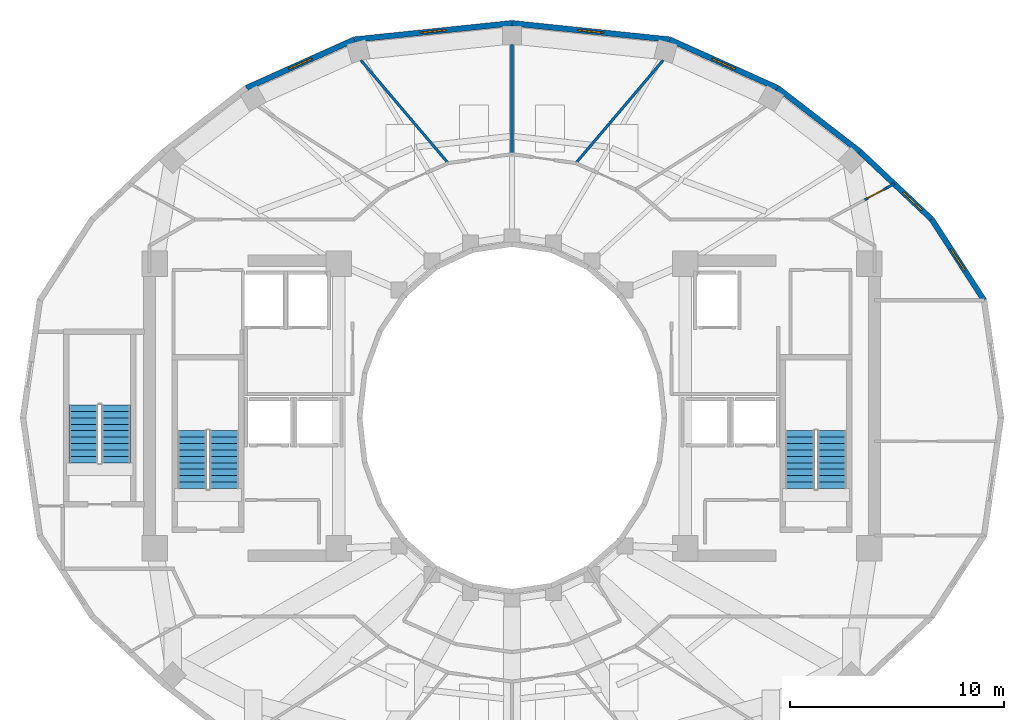
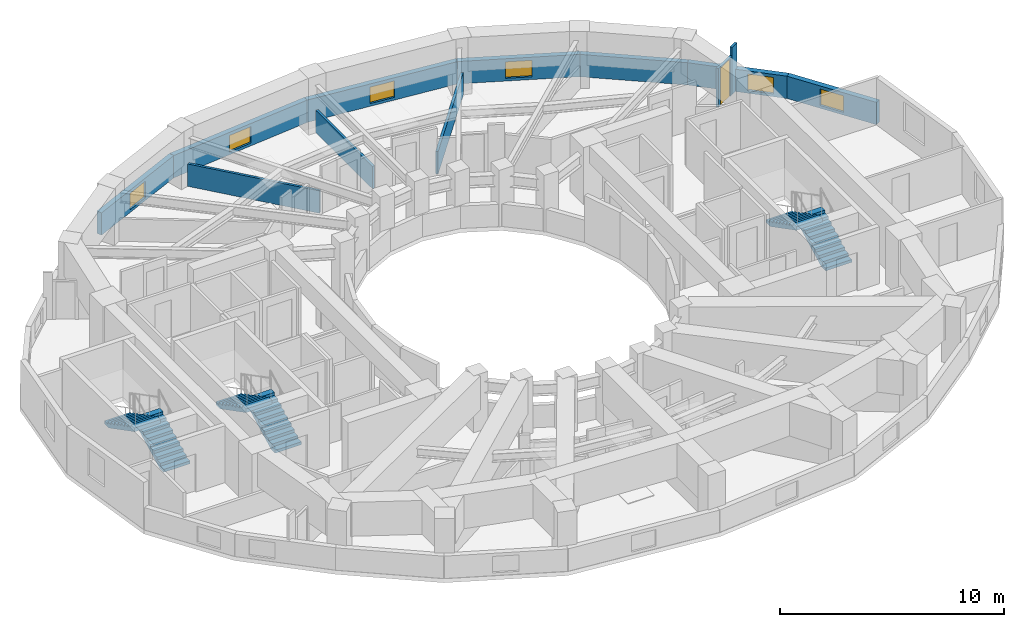
# One storey, part 7 of 9: 12 walls, 6 stair flights, 6 windows, 1 door, 7 openings, 3 elements without a shape of their own.
"""IFC4 building model written with IfcOpenShell, lengths in metres."""

from ifc_helpers import new_model, si_unit, direction, frame, frame_2d, origin, place, context, subcontext, project, spatial, polyline, rectangle, outline, extrude, material, layer, layer_set, type_object, element, fill, aggregate, save


model = new_model("IFC4")

# Units and contexts
model_context = context("Model", 3, precision=1e-05, world=origin(), true_north=direction((0.0, 1.0)))
body_context = subcontext(model_context, "Body", "Model", "MODEL_VIEW")
ifc_project = project(units=[si_unit("LENGTHUNIT", "METRE"), si_unit("AREAUNIT", "SQUARE_METRE"), si_unit("VOLUMEUNIT", "CUBIC_METRE"), si_unit("PLANEANGLEUNIT", "RADIAN"), si_unit("MASSUNIT", "GRAM", prefix="KILO")], contexts=[model_context])

# Site, building, storey
site_placement = place(None, origin())
site = spatial("IfcSite", under=ifc_project, at=site_placement, CompositionType="ELEMENT")
building_placement = place(site_placement, origin())
building = spatial("IfcBuilding", under=site, at=building_placement, Name="Solvane Sanctuary Tower", CompositionType="ELEMENT")
storey_placement = place(building_placement, frame((0.0, 0.0, 187.0)))
storey = spatial("IfcBuildingStorey", under=building, at=storey_placement, Name="L57", CompositionType="ELEMENT", Elevation=187.0)

# Wall, opening, window
ifc_material_1 = material(Name="Precast concrete C40/50", Category="concrete")
ifc_layer_1 = layer(ifc_material_1, 0.260009765625, Name="Precast concrete C40/50")
ifc_layer_set_1 = layer_set([ifc_layer_1], Name="Precast concrete C40/50")
wall_type_1 = type_object("IfcWallType", Name="Wall W-EXT-250", PredefinedType="STANDARD", material=ifc_layer_set_1)
wall_1_placement = place(storey_placement, frame((54.0703125, 28.49658203125, 0.0), z_axis=(0.0, 0.0, 1.0), x_axis=(-0.543358984534, 0.839500454989, 0.0)))
wall_1 = element("IfcWall", 1, at=wall_1_placement, inside=storey, type_object=wall_type_1, Name="L57 Ceramic-Printed Facade Wall 01", PredefinedType="STANDARD", context=body_context, shape_type="SweptSolid", body=[
    extrude(rectangle(XDim=4.51123046875, YDim=0.260009765625, at=frame_2d((2.255615234375, 0.0))), origin(), (0.0, 0.0, 1.0), 1.219970703125),
])
opening_1_placement = place(wall_1_placement, frame((1.655517578125, 0.0, 0.14990234375)))
opening_1 = element("IfcOpeningElement", 2, at=opening_1_placement, cuts=wall_1, Name="Opening WN-OPER-1200", PredefinedType="OPENING", context=body_context, shape_type="SweptSolid", body=[
    extrude(rectangle(XDim=1.199951171875, YDim=0.89990234375, at=frame_2d((0.60009765625, 0.449951171875))), frame((0.0, 0.139892578125, 0.0), z_axis=(0.0, -1.0, 0.0), x_axis=(1.0, 0.0, 0.0)), (0.0, 0.0, 1.0), 0.280029296875),
])
ifc_material_2 = material(Name="Dark Ceramic-Fritted Low-E Glass", Category="glass")
window_type = type_object("IfcWindowType", Name="Window WN-OPER-1200", PartitioningType="SINGLE_PANEL", PredefinedType="WINDOW", material=ifc_material_2)
window_1_placement = place(opening_1_placement, origin())
window_1 = element("IfcWindow", 3, at=window_1_placement, inside=storey, type_object=window_type, Name="L57 Operable Facade Window 01", OverallHeight=0.89990234375, OverallWidth=1.199951171875, PartitioningType="SINGLE_PANEL", PredefinedType="WINDOW", context=body_context, shape_type="SweptSolid", body=[
    extrude(rectangle(XDim=1.199951171875, YDim=0.89990234375, at=frame_2d((0.60009765625, 0.449951171875))), frame((0.0, 0.030029296875, 0.0), z_axis=(0.0, -1.0, 0.0), x_axis=(1.0, 0.0, 0.0)), (0.0, 0.0, 1.0), 0.06005859375),
])
fill(opening_1, window_1)

wall_2_placement = place(storey_placement, frame((51.619140625, 32.28369140625, 0.0), z_axis=(0.0, 0.0, 1.0), x_axis=(-0.727667301037, 0.68593024354, 0.0)))
wall_2 = element("IfcWall", 4, at=wall_2_placement, inside=storey, type_object=wall_type_1, Name="L57 Ceramic-Printed Facade Wall 02", PredefinedType="STANDARD", context=body_context, shape_type="SweptSolid", body=[
    extrude(rectangle(XDim=4.603515625, YDim=0.260009765625, at=frame_2d((2.3017578125, 0.0))), origin(), (0.0, 0.0, 1.0), 1.219970703125),
])
opening_2_placement = place(wall_2_placement, frame((0.631103515625, 0.0, 0.14990234375)))
opening_2 = element("IfcOpeningElement", 5, at=opening_2_placement, cuts=wall_2, Name="Opening WN-OPER-1200", PredefinedType="OPENING", context=body_context, shape_type="SweptSolid", body=[
    extrude(rectangle(XDim=1.199951171875, YDim=0.89990234375, at=frame_2d((0.60009765625, 0.449951171875))), frame((0.0, 0.139892578125, 0.0), z_axis=(0.0, -1.0, 0.0), x_axis=(1.0, 0.0, 0.0)), (0.0, 0.0, 1.0), 0.280029296875),
])
window_2_placement = place(opening_2_placement, origin())
window_2 = element("IfcWindow", 6, at=window_2_placement, inside=storey, type_object=window_type, Name="L57 Operable Facade Window 02", OverallHeight=0.89990234375, OverallWidth=1.199951171875, PartitioningType="SINGLE_PANEL", PredefinedType="WINDOW", context=body_context, shape_type="SweptSolid", body=[
    extrude(rectangle(XDim=1.199951171875, YDim=0.89990234375, at=frame_2d((0.60009765625, 0.449951171875))), frame((0.0, 0.030029296875, 0.0), z_axis=(0.0, -1.0, 0.0), x_axis=(1.0, 0.0, 0.0)), (0.0, 0.0, 1.0), 0.06005859375),
])
fill(opening_2, window_2)

# Wall
wall_3_placement = place(storey_placement, frame((48.269287109375, 35.44140625, 0.0), z_axis=(0.0, 0.0, 1.0), x_axis=(-0.791460185804, 0.611220724687, 0.0)))
element("IfcWall", 7, at=wall_3_placement, inside=storey, type_object=wall_type_1, Name="L57 Ceramic-Printed Facade Wall 03", PredefinedType="STANDARD", context=body_context, shape_type="SweptSolid", body=[
    extrude(rectangle(XDim=4.872314453125, YDim=0.260009765625, at=frame_2d((2.43603515625, 0.0))), origin(), (0.0, 0.0, 1.0), 1.219970703125),
])

# Wall, opening, window
wall_4_placement = place(storey_placement, frame((44.4130859375, 38.41943359375, 0.0), z_axis=(0.0, 0.0, 1.0), x_axis=(-0.912353637112, 0.409403029847, 0.0)))
wall_4 = element("IfcWall", 8, at=wall_4_placement, inside=storey, type_object=wall_type_1, Name="L57 Ceramic-Printed Facade Wall 04", PredefinedType="STANDARD", context=body_context, shape_type="SweptSolid", body=[
    extrude(rectangle(XDim=5.53271484375, YDim=0.260009765625, at=frame_2d((2.766357421875, 0.0))), origin(), (0.0, 0.0, 1.0), 1.219970703125),
])
opening_3_placement = place(wall_4_placement, frame((2.16650390625, 0.0, 0.14990234375)))
opening_3 = element("IfcOpeningElement", 9, at=opening_3_placement, cuts=wall_4, Name="Opening WN-OPER-1200", PredefinedType="OPENING", context=body_context, shape_type="SweptSolid", body=[
    extrude(rectangle(XDim=1.199951171875, YDim=0.89990234375, at=frame_2d((0.60009765625, 0.449951171875))), frame((0.0, 0.139892578125, 0.0), z_axis=(0.0, -1.0, 0.0), x_axis=(1.0, 0.0, 0.0)), (0.0, 0.0, 1.0), 0.280029296875),
])
window_3_placement = place(opening_3_placement, origin())
window_3 = element("IfcWindow", 10, at=window_3_placement, inside=storey, type_object=window_type, Name="L57 Operable Facade Window 04", OverallHeight=0.89990234375, OverallWidth=1.199951171875, PartitioningType="SINGLE_PANEL", PredefinedType="WINDOW", context=body_context, shape_type="SweptSolid", body=[
    extrude(rectangle(XDim=1.199951171875, YDim=0.89990234375, at=frame_2d((0.60009765625, 0.449951171875))), frame((0.0, 0.030029296875, 0.0), z_axis=(0.0, -1.0, 0.0), x_axis=(1.0, 0.0, 0.0)), (0.0, 0.0, 1.0), 0.06005859375),
])
fill(opening_3, window_3)

wall_5_placement = place(storey_placement, frame((39.365234375, 40.6845703125, 0.0), z_axis=(0.0, 0.0, 1.0), x_axis=(-0.994664178965, 0.10316574569, 0.0)))
wall_5 = element("IfcWall", 11, at=wall_5_placement, inside=storey, type_object=wall_type_1, Name="L57 Ceramic-Printed Facade Wall 05", PredefinedType="STANDARD", context=body_context, shape_type="SweptSolid", body=[
    extrude(rectangle(XDim=7.40478515625, YDim=0.260009765625, at=frame_2d((3.702392578125, 0.0))), origin(), (0.0, 0.0, 1.0), 1.219970703125),
])
opening_4_placement = place(wall_5_placement, frame((3.102294921875, 0.0, 0.14990234375)))
opening_4 = element("IfcOpeningElement", 12, at=opening_4_placement, cuts=wall_5, Name="Opening WN-OPER-1200", PredefinedType="OPENING", context=body_context, shape_type="SweptSolid", body=[
    extrude(rectangle(XDim=1.199951171875, YDim=0.89990234375, at=frame_2d((0.60009765625, 0.449951171875))), frame((0.0, 0.139892578125, 0.0), z_axis=(0.0, -1.0, 0.0), x_axis=(1.0, 0.0, 0.0)), (0.0, 0.0, 1.0), 0.280029296875),
])
window_4_placement = place(opening_4_placement, origin())
window_4 = element("IfcWindow", 13, at=window_4_placement, inside=storey, type_object=window_type, Name="L57 Operable Facade Window 05", OverallHeight=0.89990234375, OverallWidth=1.199951171875, PartitioningType="SINGLE_PANEL", PredefinedType="WINDOW", context=body_context, shape_type="SweptSolid", body=[
    extrude(rectangle(XDim=1.199951171875, YDim=0.89990234375, at=frame_2d((0.60009765625, 0.449951171875))), frame((0.0, 0.030029296875, 0.0), z_axis=(0.0, -1.0, 0.0), x_axis=(1.0, 0.0, 0.0)), (0.0, 0.0, 1.0), 0.06005859375),
])
fill(opening_4, window_4)

wall_6_placement = place(storey_placement, frame((32.0, 41.448486328125, 0.0), z_axis=(0.0, 0.0, 1.0), x_axis=(-0.994664178965, -0.10316574569, 0.0)))
wall_6 = element("IfcWall", 14, at=wall_6_placement, inside=storey, type_object=wall_type_1, Name="L57 Ceramic-Printed Facade Wall 06", PredefinedType="STANDARD", context=body_context, shape_type="SweptSolid", body=[
    extrude(rectangle(XDim=7.40478515625, YDim=0.260009765625, at=frame_2d((3.702392578125, 0.0))), origin(), (0.0, 0.0, 1.0), 1.219970703125),
])
opening_5_placement = place(wall_6_placement, frame((3.102294921875, 0.0, 0.14990234375)))
opening_5 = element("IfcOpeningElement", 15, at=opening_5_placement, cuts=wall_6, Name="Opening WN-OPER-1200", PredefinedType="OPENING", context=body_context, shape_type="SweptSolid", body=[
    extrude(rectangle(XDim=1.199951171875, YDim=0.89990234375, at=frame_2d((0.60009765625, 0.449951171875))), frame((0.0, 0.139892578125, 0.0), z_axis=(0.0, -1.0, 0.0), x_axis=(1.0, 0.0, 0.0)), (0.0, 0.0, 1.0), 0.280029296875),
])
window_5_placement = place(opening_5_placement, origin())
window_5 = element("IfcWindow", 16, at=window_5_placement, inside=storey, type_object=window_type, Name="L57 Operable Facade Window 06", OverallHeight=0.89990234375, OverallWidth=1.199951171875, PartitioningType="SINGLE_PANEL", PredefinedType="WINDOW", context=body_context, shape_type="SweptSolid", body=[
    extrude(rectangle(XDim=1.199951171875, YDim=0.89990234375, at=frame_2d((0.60009765625, 0.449951171875))), frame((0.0, 0.030029296875, 0.0), z_axis=(0.0, -1.0, 0.0), x_axis=(1.0, 0.0, 0.0)), (0.0, 0.0, 1.0), 0.06005859375),
])
fill(opening_5, window_5)

wall_7_placement = place(storey_placement, frame((24.634765625, 40.6845703125, 0.0), z_axis=(0.0, 0.0, 1.0), x_axis=(-0.912353637112, -0.409403029847, 0.0)))
wall_7 = element("IfcWall", 17, at=wall_7_placement, inside=storey, type_object=wall_type_1, Name="L57 Ceramic-Printed Facade Wall 07", PredefinedType="STANDARD", context=body_context, shape_type="SweptSolid", body=[
    extrude(rectangle(XDim=5.53271484375, YDim=0.260009765625, at=frame_2d((2.766357421875, 0.0))), origin(), (0.0, 0.0, 1.0), 1.219970703125),
])
opening_6_placement = place(wall_7_placement, frame((2.16650390625, 0.0, 0.14990234375)))
opening_6 = element("IfcOpeningElement", 18, at=opening_6_placement, cuts=wall_7, Name="Opening WN-OPER-1200", PredefinedType="OPENING", context=body_context, shape_type="SweptSolid", body=[
    extrude(rectangle(XDim=1.199951171875, YDim=0.89990234375, at=frame_2d((0.60009765625, 0.449951171875))), frame((0.0, 0.139892578125, 0.0), z_axis=(0.0, -1.0, 0.0), x_axis=(1.0, 0.0, 0.0)), (0.0, 0.0, 1.0), 0.280029296875),
])
window_6_placement = place(opening_6_placement, origin())
window_6 = element("IfcWindow", 19, at=window_6_placement, inside=storey, type_object=window_type, Name="L57 Operable Facade Window 07", OverallHeight=0.89990234375, OverallWidth=1.199951171875, PartitioningType="SINGLE_PANEL", PredefinedType="WINDOW", context=body_context, shape_type="SweptSolid", body=[
    extrude(rectangle(XDim=1.199951171875, YDim=0.89990234375, at=frame_2d((0.60009765625, 0.449951171875))), frame((0.0, 0.030029296875, 0.0), z_axis=(0.0, -1.0, 0.0), x_axis=(1.0, 0.0, 0.0)), (0.0, 0.0, 1.0), 0.06005859375),
])
fill(opening_6, window_6)

# Wall, opening, door
ifc_material_3 = material(Name="Acoustic Gypsum Partition Board")
ifc_layer_2 = layer(ifc_material_3, 0.1201171875, Name="Acoustic Gypsum Partition Board")
ifc_layer_set_2 = layer_set([ifc_layer_2], Name="Acoustic Gypsum Partition Board")
wall_type_2 = type_object("IfcWallType", Name="Wall W-MOV-100", PredefinedType="MOVABLE", material=ifc_layer_set_2)
wall_8_placement = place(storey_placement, frame((48.48876953125, 33.194091796875, 0.0), z_axis=(0.0, 0.0, 1.0), x_axis=(0.879342939039, 0.476189033433, 0.0)))
wall_8 = element("IfcWall", 20, at=wall_8_placement, inside=storey, type_object=wall_type_2, Name="L57 NE Corner Suite Partition", PredefinedType="MOVABLE", context=body_context, shape_type="SweptSolid", body=[
    extrude(rectangle(XDim=1.169921875, YDim=0.1201171875, at=frame_2d((0.5849609375, 0.0))), origin(), (0.0, 0.0, 1.0), 2.110107421875),
])
opening_7_placement = place(wall_8_placement, frame((0.159912109375, 0.0, 0.0)))
opening_7 = element("IfcOpeningElement", 21, at=opening_7_placement, cuts=wall_8, Name="Opening D-L57-12", PredefinedType="OPENING", context=body_context, shape_type="SweptSolid", body=[
    extrude(rectangle(XDim=0.85009765625, YDim=2.050048828125, at=frame_2d((0.425048828125, 1.02490234375))), frame((0.0, 0.070068359375, 0.0), z_axis=(0.0, -1.0, 0.0), x_axis=(1.0, 0.0, 0.0)), (0.0, 0.0, 1.0), 0.14013671875),
])
ifc_material_4 = material(Name="Architectural Stainless Steel 316", Category="steel")
door_type = type_object("IfcDoorType", Name="Door D-RISER", OperationType="NOTDEFINED", PredefinedType="DOOR", material=ifc_material_4)
door_placement = place(opening_7_placement, origin())
door = element("IfcDoor", 22, at=door_placement, inside=storey, type_object=door_type, Name="L57 NE Corner Suite Door", OperationType="SINGLE_SWING_RIGHT", OverallHeight=2.050048828125, OverallWidth=0.85009765625, PredefinedType="DOOR", context=body_context, shape_type="SweptSolid", body=[
    extrude(rectangle(XDim=0.85009765625, YDim=2.050048828125, at=frame_2d((0.425048828125, 1.02490234375))), frame((0.0, 0.02490234375, 0.0), z_axis=(0.0, -1.0, 0.0), x_axis=(1.0, 0.0, 0.0)), (0.0, 0.0, 1.0), 0.050048828125),
])
fill(opening_7, door)

# Walls
wall_9_placement = place(storey_placement, frame((49.517578125, 33.751220703125, 0.0), z_axis=(0.0, 0.0, 1.0), x_axis=(0.879403655312, 0.476076896125, 0.0)))
element("IfcWall", 23, at=wall_9_placement, inside=storey, type_object=wall_type_2, Name="L57 NE Corner Suite Partition", PredefinedType="MOVABLE", context=body_context, shape_type="SweptSolid", body=[
    extrude(rectangle(XDim=0.41943359375, YDim=0.1201171875, at=frame_2d((0.209716796875, 0.0))), origin(), (0.0, 0.0, 1.0), 2.574951171875),
])
ifc_layer_3 = layer(ifc_material_3, 0.125, Name="Acoustic Gypsum Partition Board")
ifc_layer_set_3 = layer_set([ifc_layer_3], Name="Acoustic Gypsum Partition Board")
wall_type_3 = type_object("IfcWallType", Name="Wall W-PART-125", PredefinedType="PARTITIONING", material=ifc_layer_set_3)
wall_10_placement = place(storey_placement, frame((35.019775390625, 34.951904296875, 0.0), z_axis=(0.0, 0.0, 1.0), x_axis=(0.647173462792, 0.762342776615, 0.0)))
element("IfcWall", 24, at=wall_10_placement, inside=storey, type_object=wall_type_3, Name="L57 Radial Compartment Wall 075", PredefinedType="PARTITIONING", context=body_context, shape_type="SweptSolid", body=[
    extrude(rectangle(XDim=6.25341796875, YDim=0.125, at=frame_2d((3.126708984375, 0.0))), origin(), (0.0, 0.0, 1.0), 1.219970703125),
])
wall_11_placement = place(storey_placement, frame((32.0, 35.385009765625, 0.0), z_axis=(0.0, 0.0, 1.0), x_axis=(0.0, 1.0, 0.0)))
element("IfcWall", 25, at=wall_11_placement, inside=storey, type_object=wall_type_3, Name="L57 Radial Compartment Wall 090", PredefinedType="PARTITIONING", context=body_context, shape_type="SweptSolid", body=[
    extrude(rectangle(XDim=5.06494140625, YDim=0.125, at=frame_2d((2.532470703125, 0.0))), origin(), (0.0, 0.0, 1.0), 1.219970703125),
])
wall_12_placement = place(storey_placement, frame((28.980224609375, 34.951904296875, 0.0), z_axis=(0.0, 0.0, 1.0), x_axis=(-0.647173462792, 0.762342776615, 0.0)))
element("IfcWall", 26, at=wall_12_placement, inside=storey, type_object=wall_type_3, Name="L57 Radial Compartment Wall 105", PredefinedType="PARTITIONING", context=body_context, shape_type="SweptSolid", body=[
    extrude(rectangle(XDim=6.25341796875, YDim=0.125, at=frame_2d((3.126708984375, 0.0))), origin(), (0.0, 0.0, 1.0), 1.219970703125),
])

# Stair, stair flights
ifc_material_5 = material(Name="Concrete C45/55", Category="concrete")
stair_type = type_object("IfcStairType", Name="Stair ST-TOW", PredefinedType="HALF_TURN_STAIR", material=ifc_material_5)
stair_1_placement = place(storey_placement, origin())
stair_1 = element("IfcStair", 27, at=stair_1_placement, inside=storey, type_object=stair_type, Name="L57 Exit Stair ST-1 West Core", PredefinedType="HALF_TURN_STAIR")
stair_flight_type = type_object("IfcStairFlightType", Name="StairFlight SF-TOW", PredefinedType="STRAIGHT", material=ifc_material_5)
stair_flight_1_placement = place(storey_placement, frame((18.544921875, 19.699951171875, 0.0), z_axis=(0.0, 0.0, 1.0), x_axis=(0.0, 1.0, 0.0)))
stair_flight_1 = element("IfcStairFlight", 28, at=stair_flight_1_placement, type_object=stair_flight_type, Name="ST-1 flight 1", NumberOfRisers=10, NumberOfTreads=9, PredefinedType="STRAIGHT", RiserHeight=0.155, TreadLength=0.3, context=body_context, shape_type="SweptSolid", body=[
    extrude(outline(polyline([(0.0, 0.0), (0.0, 0.155029296875), (0.300048828125, 0.155029296875), (0.300048828125, 0.31005859375), (0.60009765625, 0.31005859375), (0.60009765625, 0.465087890625), (0.89990234375, 0.465087890625), (0.89990234375, 0.6201171875), (1.199951171875, 0.6201171875), (1.199951171875, 0.77490234375), (1.5, 0.77490234375), (1.5, 0.929931640625), (1.800048828125, 0.929931640625), (1.800048828125, 1.0849609375), (2.10009765625, 1.0849609375), (2.10009765625, 1.239990234375), (2.39990234375, 1.239990234375), (2.39990234375, 1.39501953125), (2.699951171875, 1.39501953125), (2.699951171875, 1.550048828125), (2.699951171875, 1.1923828125), (0.39208984375, 0.0), (0.0, 0.0)])), frame((0.0, 0.675048828125, 0.0), z_axis=(0.0, -1.0, 0.0), x_axis=(1.0, 0.0, 0.0)), (0.0, 0.0, 1.0), 1.35009765625),
])
stair_flight_2_placement = place(storey_placement, frame((17.034912109375, 22.39990234375, 1.550048828125), z_axis=(0.0, 0.0, 1.0), x_axis=(0.0, -1.0, 0.0)))
stair_flight_2 = element("IfcStairFlight", 29, at=stair_flight_2_placement, type_object=stair_flight_type, Name="ST-1 flight 2", NumberOfRisers=10, NumberOfTreads=9, PredefinedType="STRAIGHT", RiserHeight=0.155, TreadLength=0.3, context=body_context, shape_type="SweptSolid", body=[
    extrude(outline(polyline([(0.0, 0.0), (0.0, 0.155029296875), (0.300048828125, 0.155029296875), (0.300048828125, 0.31005859375), (0.60009765625, 0.31005859375), (0.60009765625, 0.465087890625), (0.89990234375, 0.465087890625), (0.89990234375, 0.6201171875), (1.199951171875, 0.6201171875), (1.199951171875, 0.77490234375), (1.5, 0.77490234375), (1.5, 0.929931640625), (1.800048828125, 0.929931640625), (1.800048828125, 1.0849609375), (2.10009765625, 1.0849609375), (2.10009765625, 1.239990234375), (2.39990234375, 1.239990234375), (2.39990234375, 1.39501953125), (2.699951171875, 1.39501953125), (2.699951171875, 1.550048828125), (2.699951171875, 1.1923828125), (0.39208984375, 0.0), (0.0, 0.0)])), frame((0.0, 0.675048828125, 0.0), z_axis=(0.0, -1.0, 0.0), x_axis=(1.0, 0.0, 0.0)), (0.0, 0.0, 1.0), 1.35009765625),
])
aggregate(stair_1, [stair_flight_1, stair_flight_2])

stair_2_placement = place(storey_placement, origin())
stair_2 = element("IfcStair", 30, at=stair_2_placement, inside=storey, type_object=stair_type, Name="L57 Exit Stair ST-2 East Core", PredefinedType="HALF_TURN_STAIR")
stair_flight_3_placement = place(storey_placement, frame((46.965087890625, 19.699951171875, 0.0), z_axis=(0.0, 0.0, 1.0), x_axis=(0.0, 1.0, 0.0)))
stair_flight_3 = element("IfcStairFlight", 31, at=stair_flight_3_placement, type_object=stair_flight_type, Name="ST-2 flight 1", NumberOfRisers=10, NumberOfTreads=9, PredefinedType="STRAIGHT", RiserHeight=0.155, TreadLength=0.3, context=body_context, shape_type="SweptSolid", body=[
    extrude(outline(polyline([(0.0, 0.0), (0.0, 0.155029296875), (0.300048828125, 0.155029296875), (0.300048828125, 0.31005859375), (0.60009765625, 0.31005859375), (0.60009765625, 0.465087890625), (0.89990234375, 0.465087890625), (0.89990234375, 0.6201171875), (1.199951171875, 0.6201171875), (1.199951171875, 0.77490234375), (1.5, 0.77490234375), (1.5, 0.929931640625), (1.800048828125, 0.929931640625), (1.800048828125, 1.0849609375), (2.10009765625, 1.0849609375), (2.10009765625, 1.239990234375), (2.39990234375, 1.239990234375), (2.39990234375, 1.39501953125), (2.699951171875, 1.39501953125), (2.699951171875, 1.550048828125), (2.699951171875, 1.1923828125), (0.39208984375, 0.0), (0.0, 0.0)])), frame((0.0, 0.675048828125, 0.0), z_axis=(0.0, -1.0, 0.0), x_axis=(1.0, 0.0, 0.0)), (0.0, 0.0, 1.0), 1.35009765625),
])
stair_flight_4_placement = place(storey_placement, frame((45.455078125, 22.39990234375, 1.550048828125), z_axis=(0.0, 0.0, 1.0), x_axis=(0.0, -1.0, 0.0)))
stair_flight_4 = element("IfcStairFlight", 32, at=stair_flight_4_placement, type_object=stair_flight_type, Name="ST-2 flight 2", NumberOfRisers=10, NumberOfTreads=9, PredefinedType="STRAIGHT", RiserHeight=0.155, TreadLength=0.3, context=body_context, shape_type="SweptSolid", body=[
    extrude(outline(polyline([(0.0, 0.0), (0.0, 0.155029296875), (0.300048828125, 0.155029296875), (0.300048828125, 0.31005859375), (0.60009765625, 0.31005859375), (0.60009765625, 0.465087890625), (0.89990234375, 0.465087890625), (0.89990234375, 0.6201171875), (1.199951171875, 0.6201171875), (1.199951171875, 0.77490234375), (1.5, 0.77490234375), (1.5, 0.929931640625), (1.800048828125, 0.929931640625), (1.800048828125, 1.0849609375), (2.10009765625, 1.0849609375), (2.10009765625, 1.239990234375), (2.39990234375, 1.239990234375), (2.39990234375, 1.39501953125), (2.699951171875, 1.39501953125), (2.699951171875, 1.550048828125), (2.699951171875, 1.1923828125), (0.39208984375, 0.0), (0.0, 0.0)])), frame((0.0, 0.675048828125, 0.0), z_axis=(0.0, -1.0, 0.0), x_axis=(1.0, 0.0, 0.0)), (0.0, 0.0, 1.0), 1.35009765625),
])
aggregate(stair_2, [stair_flight_3, stair_flight_4])

stair_3_placement = place(storey_placement, origin())
stair_3 = element("IfcStair", 33, at=stair_3_placement, inside=storey, type_object=stair_type, Name="L57 Exit Stair ST-3 Pilgrim Tower Stair", PredefinedType="HALF_TURN_STAIR")
stair_flight_5_placement = place(storey_placement, frame((13.485107421875, 20.89990234375, 0.0), z_axis=(0.0, 0.0, 1.0), x_axis=(0.0, 1.0, 0.0)))
stair_flight_5 = element("IfcStairFlight", 34, at=stair_flight_5_placement, type_object=stair_flight_type, Name="ST-3 flight 1", NumberOfRisers=10, NumberOfTreads=9, PredefinedType="STRAIGHT", RiserHeight=0.155, TreadLength=0.3, context=body_context, shape_type="SweptSolid", body=[
    extrude(outline(polyline([(0.0, 0.0), (0.0, 0.155029296875), (0.300048828125, 0.155029296875), (0.300048828125, 0.31005859375), (0.60009765625, 0.31005859375), (0.60009765625, 0.465087890625), (0.89990234375, 0.465087890625), (0.89990234375, 0.6201171875), (1.199951171875, 0.6201171875), (1.199951171875, 0.77490234375), (1.5, 0.77490234375), (1.5, 0.929931640625), (1.800048828125, 0.929931640625), (1.800048828125, 1.0849609375), (2.10009765625, 1.0849609375), (2.10009765625, 1.239990234375), (2.39990234375, 1.239990234375), (2.39990234375, 1.39501953125), (2.699951171875, 1.39501953125), (2.699951171875, 1.550048828125), (2.699951171875, 1.1923828125), (0.39208984375, 0.0), (0.0, 0.0)])), frame((0.0, 0.675048828125, 0.0), z_axis=(0.0, -1.0, 0.0), x_axis=(1.0, 0.0, 0.0)), (0.0, 0.0, 1.0), 1.35009765625),
])
stair_flight_6_placement = place(storey_placement, frame((11.97509765625, 23.60009765625, 1.550048828125), z_axis=(0.0, 0.0, 1.0), x_axis=(0.0, -1.0, 0.0)))
stair_flight_6 = element("IfcStairFlight", 35, at=stair_flight_6_placement, type_object=stair_flight_type, Name="ST-3 flight 2", NumberOfRisers=10, NumberOfTreads=9, PredefinedType="STRAIGHT", RiserHeight=0.155, TreadLength=0.3, context=body_context, shape_type="SweptSolid", body=[
    extrude(outline(polyline([(0.0, 0.0), (0.0, 0.155029296875), (0.300048828125, 0.155029296875), (0.300048828125, 0.31005859375), (0.60009765625, 0.31005859375), (0.60009765625, 0.465087890625), (0.89990234375, 0.465087890625), (0.89990234375, 0.6201171875), (1.199951171875, 0.6201171875), (1.199951171875, 0.77490234375), (1.5, 0.77490234375), (1.5, 0.929931640625), (1.800048828125, 0.929931640625), (1.800048828125, 1.0849609375), (2.10009765625, 1.0849609375), (2.10009765625, 1.239990234375), (2.39990234375, 1.239990234375), (2.39990234375, 1.39501953125), (2.699951171875, 1.39501953125), (2.699951171875, 1.550048828125), (2.699951171875, 1.1923828125), (0.39208984375, 0.0), (0.0, 0.0)])), frame((0.0, 0.675048828125, 0.0), z_axis=(0.0, -1.0, 0.0), x_axis=(1.0, 0.0, 0.0)), (0.0, 0.0, 1.0), 1.35009765625),
])
aggregate(stair_3, [stair_flight_5, stair_flight_6])

save(model, "model.ifc")
